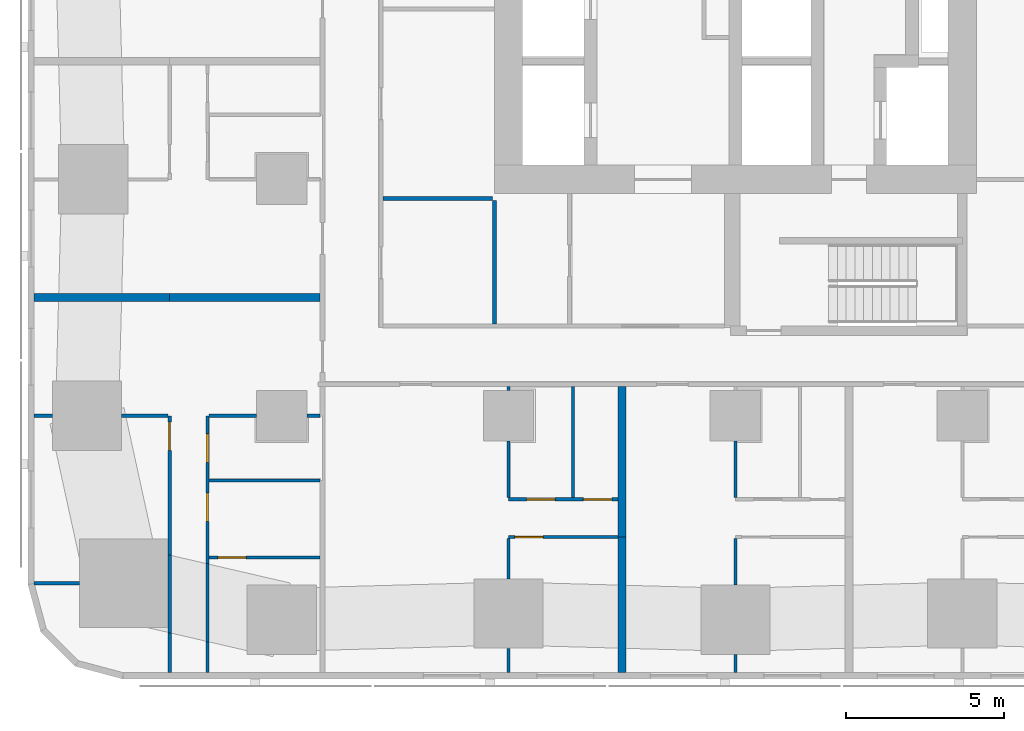
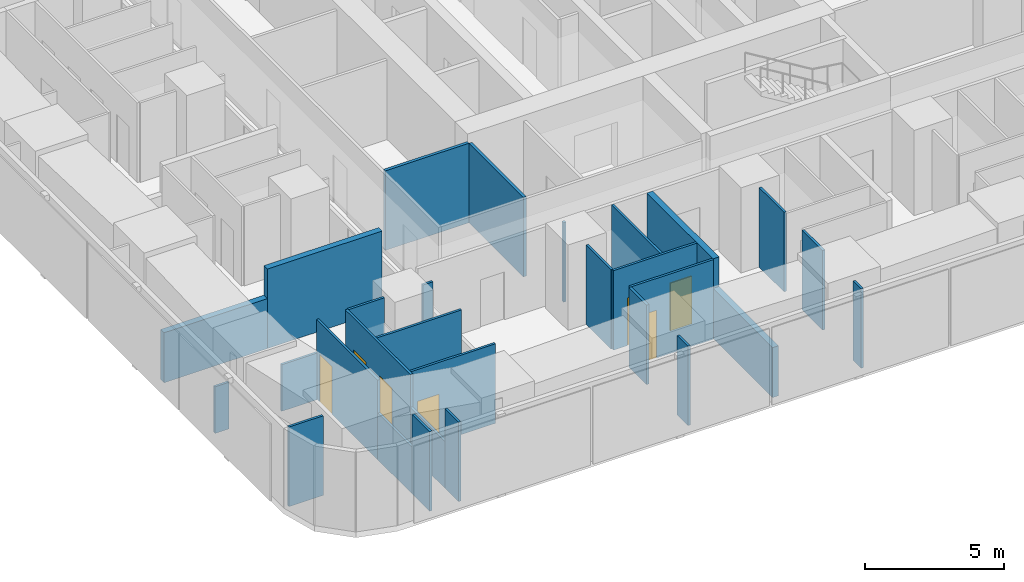
# One storey, part 2 of 16: 29 walls, 7 doors, 7 openings.
"""IFC4 building model written with IfcOpenShell, lengths in metres."""

from ifc_helpers import new_model, si_unit, direction, frame, frame_2d, origin, place, context, subcontext, project, spatial, rectangle, extrude, material, layer, layer_set, type_object, element, fill, save


model = new_model("IFC4")

# Units and contexts
model_context = context("Model", 3, precision=1e-05, world=origin(), true_north=direction((0.0, 1.0)))
body_context = subcontext(model_context, "Body", "Model", "MODEL_VIEW")
ifc_project = project(units=[si_unit("LENGTHUNIT", "METRE"), si_unit("AREAUNIT", "SQUARE_METRE"), si_unit("VOLUMEUNIT", "CUBIC_METRE"), si_unit("PLANEANGLEUNIT", "RADIAN"), si_unit("MASSUNIT", "GRAM", prefix="KILO")], contexts=[model_context])

# Site, building, storey
site_placement = place(None, origin())
site = spatial("IfcSite", under=ifc_project, at=site_placement, CompositionType="ELEMENT")
building_placement = place(site_placement, origin())
building = spatial("IfcBuilding", under=site, at=building_placement, Name="Sheger Commons Tower", CompositionType="ELEMENT")
storey_placement = place(building_placement, frame((0.0, 0.0, 92.89990234375)))
storey = spatial("IfcBuildingStorey", under=building, at=storey_placement, Name="L23", CompositionType="ELEMENT", Elevation=92.89990234375)

# Walls
ifc_material_1 = material(Name="Dense concrete block masonry, plastered both sides (separating wall between flats)", Category="masonry")
ifc_layer_1 = layer(ifc_material_1, 0.25)
ifc_layer_set_1 = layer_set([ifc_layer_1], Name="DEMISING WALL 250")
wall_type_1 = type_object("IfcWallType", Name="DEMISING WALL 250", PredefinedType="SOLIDWALL", material=ifc_layer_set_1)
wall_1_placement = place(storey_placement, frame((-0.64990234375, 11.25, 0.0), z_axis=(0.0, 0.0, 1.0), x_axis=(1.0, 0.0, 0.0)))
element("IfcWall", 1, at=wall_1_placement, inside=storey, type_object=wall_type_1, Name="Demising wall L23", PredefinedType="SOLIDWALL", context=body_context, shape_type="SweptSolid", body=[
    extrude(rectangle(XDim=4.2998046875, YDim=0.25, at=frame_2d((2.14990234375, 0.0))), origin(), (0.0, 0.0, 1.0), 2.2001953125),
])
wall_2_placement = place(storey_placement, frame((3.64990234375, 11.25, 0.0), z_axis=(0.0, 0.0, 1.0), x_axis=(1.0, 0.0, 0.0)))
element("IfcWall", 2, at=wall_2_placement, inside=storey, type_object=wall_type_1, Name="Demising wall L23", PredefinedType="SOLIDWALL", context=body_context, shape_type="SweptSolid", body=[
    extrude(rectangle(XDim=4.775146484375, YDim=0.25, at=frame_2d((2.3876953125, 0.0))), origin(), (0.0, 0.0, 1.0), 3.5),
])
wall_3_placement = place(storey_placement, frame((18.0, -0.64990234375, 0.0), z_axis=(0.0, 0.0, 1.0), x_axis=(0.0, 1.0, 0.0)))
element("IfcWall", 3, at=wall_3_placement, inside=storey, type_object=wall_type_1, Name="Demising wall L23", PredefinedType="SOLIDWALL", context=body_context, shape_type="SweptSolid", body=[
    extrude(rectangle(XDim=4.2998046875, YDim=0.25, at=frame_2d((2.14990234375, 0.0))), origin(), (0.0, 0.0, 1.0), 2.2001953125),
])
wall_4_placement = place(storey_placement, frame((18.0, 3.64990234375, 0.0), z_axis=(0.0, 0.0, 1.0), x_axis=(0.0, 1.0, 0.0)))
element("IfcWall", 4, at=wall_4_placement, inside=storey, type_object=wall_type_1, Name="Demising wall L23", PredefinedType="SOLIDWALL", context=body_context, shape_type="SweptSolid", body=[
    extrude(rectangle(XDim=4.775146484375, YDim=0.25, at=frame_2d((2.3876953125, 0.0))), origin(), (0.0, 0.0, 1.0), 3.5),
])
ifc_material_2 = material(Name="Gypsum board on steel studs", Category="steel")
ifc_layer_2 = layer(ifc_material_2, 0.10009765625)
ifc_layer_set_2 = layer_set([ifc_layer_2], Name="PARTITION 100")
wall_type_2 = type_object("IfcWallType", Name="PARTITION 100", PredefinedType="PARTITIONING", material=ifc_layer_set_2)
wall_5_placement = place(storey_placement, frame((3.64990234375, -0.64990234375, 0.0), z_axis=(0.0, 0.0, 1.0), x_axis=(0.0, 1.0, 0.0)))
element("IfcWall", 5, at=wall_5_placement, inside=storey, type_object=wall_type_2, Name="Partition L23", PredefinedType="PARTITIONING", context=body_context, shape_type="SweptSolid", body=[
    extrude(rectangle(XDim=1.25390625, YDim=0.10009765625, at=frame_2d((0.626953125, 0.0))), origin(), (0.0, 0.0, 1.0), 3.5),
])
wall_6_placement = place(storey_placement, frame((3.64990234375, 0.60400390625, 0.0), z_axis=(0.0, 0.0, 1.0), x_axis=(0.0, 1.0, 0.0)))
element("IfcWall", 6, at=wall_6_placement, inside=storey, type_object=wall_type_2, Name="Partition L23", PredefinedType="PARTITIONING", context=body_context, shape_type="SweptSolid", body=[
    extrude(rectangle(XDim=2.486083984375, YDim=0.10009765625, at=frame_2d((1.2431640625, 0.0))), origin(), (0.0, 0.0, 1.0), 2.050048828125),
])

# Wall, opening, door
wall_7_placement = place(storey_placement, frame((3.64990234375, 3.090087890625, 0.0), z_axis=(0.0, 0.0, 1.0), x_axis=(0.0, 1.0, 0.0)))
wall_7 = element("IfcWall", 7, at=wall_7_placement, inside=storey, type_object=wall_type_2, Name="Partition L23", PredefinedType="PARTITIONING", context=body_context, shape_type="SweptSolid", body=[
    extrude(rectangle(XDim=4.409912109375, YDim=0.10009765625, at=frame_2d((2.205078125, 0.0))), origin(), (0.0, 0.0, 1.0), 3.5),
])
opening_1_placement = place(wall_7_placement, frame((3.31005859375, 0.0, 0.0)))
opening_1 = element("IfcOpeningElement", 8, at=opening_1_placement, cuts=wall_7, Name="Opening D2", PredefinedType="OPENING", context=body_context, shape_type="SweptSolid", body=[
    extrude(rectangle(XDim=0.89990234375, YDim=2.10009765625, at=frame_2d((0.449951171875, 1.050048828125))), frame((0.0, 0.06005859375, 0.0), z_axis=(0.0, -1.0, 0.0), x_axis=(1.0, 0.0, 0.0)), (0.0, 0.0, 1.0), 0.1201171875),
])
ifc_material_3 = material(Name="Timber door set", Category="wood")
door_type = type_object("IfcDoorType", Name="INTERNAL DOOR 900x2100", OperationType="NOTDEFINED", PredefinedType="DOOR", material=ifc_material_3)
door_1_placement = place(opening_1_placement, origin())
door_1 = element("IfcDoor", 9, at=door_1_placement, inside=storey, type_object=door_type, Name="Main bedroom door", OperationType="SINGLE_SWING_RIGHT", OverallHeight=2.10009765625, OverallWidth=0.89990234375, PredefinedType="DOOR", context=body_context, shape_type="SweptSolid", body=[
    extrude(rectangle(XDim=0.89990234375, YDim=2.10009765625, at=frame_2d((0.449951171875, 1.050048828125))), frame((0.0, 0.02490234375, 0.0), z_axis=(0.0, -1.0, 0.0), x_axis=(1.0, 0.0, 0.0)), (0.0, 0.0, 1.0), 0.050048828125),
])
fill(opening_1, door_1)

# Walls
wall_8_placement = place(storey_placement, frame((4.85009765625, -0.64990234375, 0.0), z_axis=(0.0, 0.0, 1.0), x_axis=(0.0, 1.0, 0.0)))
element("IfcWall", 10, at=wall_8_placement, inside=storey, type_object=wall_type_2, Name="Partition L23", PredefinedType="PARTITIONING", context=body_context, shape_type="SweptSolid", body=[
    extrude(rectangle(XDim=0.975830078125, YDim=0.10009765625, at=frame_2d((0.48779296875, 0.0))), origin(), (0.0, 0.0, 1.0), 3.5),
])
wall_9_placement = place(storey_placement, frame((4.85009765625, 0.325927734375, 0.0), z_axis=(0.0, 0.0, 1.0), x_axis=(0.0, 1.0, 0.0)))
element("IfcWall", 11, at=wall_9_placement, inside=storey, type_object=wall_type_2, Name="Partition L23", PredefinedType="PARTITIONING", context=body_context, shape_type="SweptSolid", body=[
    extrude(rectangle(XDim=2.486083984375, YDim=0.10009765625, at=frame_2d((1.2431640625, 0.0))), origin(), (0.0, 0.0, 1.0), 2.050048828125),
])

# Wall, openings, doors
wall_10_placement = place(storey_placement, frame((4.85009765625, 2.81201171875, 0.0), z_axis=(0.0, 0.0, 1.0), x_axis=(0.0, 1.0, 0.0)))
wall_10 = element("IfcWall", 12, at=wall_10_placement, inside=storey, type_object=wall_type_2, Name="Partition L23", PredefinedType="PARTITIONING", context=body_context, shape_type="SweptSolid", body=[
    extrude(rectangle(XDim=4.68798828125, YDim=0.10009765625, at=frame_2d((2.343994140625, 0.0))), origin(), (0.0, 0.0, 1.0), 3.5),
])
opening_2_placement = place(wall_10_placement, frame((3.212890625, 0.0, 0.0)))
opening_2 = element("IfcOpeningElement", 13, at=opening_2_placement, cuts=wall_10, Name="Opening D2", PredefinedType="OPENING", context=body_context, shape_type="SweptSolid", body=[
    extrude(rectangle(XDim=0.89990234375, YDim=2.10009765625, at=frame_2d((0.449951171875, 1.050048828125))), frame((0.0, 0.06005859375, 0.0), z_axis=(0.0, -1.0, 0.0), x_axis=(1.0, 0.0, 0.0)), (0.0, 0.0, 1.0), 0.1201171875),
])
opening_3_placement = place(wall_10_placement, frame((1.337890625, 0.0, 0.0)))
opening_3 = element("IfcOpeningElement", 14, at=opening_3_placement, cuts=wall_10, Name="Opening D2", PredefinedType="OPENING", context=body_context, shape_type="SweptSolid", body=[
    extrude(rectangle(XDim=0.89990234375, YDim=2.10009765625, at=frame_2d((0.449951171875, 1.050048828125))), frame((0.0, 0.06005859375, 0.0), z_axis=(0.0, -1.0, 0.0), x_axis=(1.0, 0.0, 0.0)), (0.0, 0.0, 1.0), 0.1201171875),
])
door_2_placement = place(opening_2_placement, origin())
door_2 = element("IfcDoor", 15, at=door_2_placement, inside=storey, type_object=door_type, Name="Bathroom door", OperationType="SINGLE_SWING_LEFT", OverallHeight=2.10009765625, OverallWidth=0.89990234375, PredefinedType="DOOR", context=body_context, shape_type="SweptSolid", body=[
    extrude(rectangle(XDim=0.89990234375, YDim=2.10009765625, at=frame_2d((0.449951171875, 1.050048828125))), frame((0.0, 0.02490234375, 0.0), z_axis=(0.0, -1.0, 0.0), x_axis=(1.0, 0.0, 0.0)), (0.0, 0.0, 1.0), 0.050048828125),
])
fill(opening_2, door_2)
door_3_placement = place(opening_3_placement, origin())
door_3 = element("IfcDoor", 16, at=door_3_placement, inside=storey, type_object=door_type, Name="Store door", OperationType="SINGLE_SWING_LEFT", OverallHeight=2.10009765625, OverallWidth=0.89990234375, PredefinedType="DOOR", context=body_context, shape_type="SweptSolid", body=[
    extrude(rectangle(XDim=0.89990234375, YDim=2.10009765625, at=frame_2d((0.449951171875, 1.050048828125))), frame((0.0, 0.02490234375, 0.0), z_axis=(0.0, -1.0, 0.0), x_axis=(1.0, 0.0, 0.0)), (0.0, 0.0, 1.0), 0.050048828125),
])
fill(opening_3, door_3)

# Walls
wall_11_placement = place(storey_placement, frame((-0.64990234375, 2.18603515625, 0.0), z_axis=(0.0, 0.0, 1.0), x_axis=(1.0, 0.0, 0.0)))
element("IfcWall", 17, at=wall_11_placement, inside=storey, type_object=wall_type_2, Name="Partition L23", PredefinedType="PARTITIONING", context=body_context, shape_type="SweptSolid", body=[
    extrude(rectangle(XDim=1.434814453125, YDim=0.10009765625, at=frame_2d((0.71728515625, 0.0))), origin(), (0.0, 0.0, 1.0), 3.5),
])
wall_12_placement = place(storey_placement, frame((-0.64990234375, 7.5, 0.0), z_axis=(0.0, 0.0, 1.0), x_axis=(1.0, 0.0, 0.0)))
element("IfcWall", 18, at=wall_12_placement, inside=storey, type_object=wall_type_2, Name="Partition L23", PredefinedType="PARTITIONING", context=body_context, shape_type="SweptSolid", body=[
    extrude(rectangle(XDim=0.573974609375, YDim=0.10009765625, at=frame_2d((0.287109375, 0.0))), origin(), (0.0, 0.0, 1.0), 2.050048828125),
])
wall_13_placement = place(storey_placement, frame((2.1259765625, 7.5, 0.0), z_axis=(0.0, 0.0, 1.0), x_axis=(1.0, 0.0, 0.0)))
element("IfcWall", 19, at=wall_13_placement, inside=storey, type_object=wall_type_2, Name="Partition L23", PredefinedType="PARTITIONING", context=body_context, shape_type="SweptSolid", body=[
    extrude(rectangle(XDim=1.47412109375, YDim=0.10009765625, at=frame_2d((0.737060546875, 0.0))), origin(), (0.0, 0.0, 1.0), 2.050048828125),
])
wall_14_placement = place(storey_placement, frame((4.89990234375, 7.5, 0.0), z_axis=(0.0, 0.0, 1.0), x_axis=(1.0, 0.0, 0.0)))
element("IfcWall", 20, at=wall_14_placement, inside=storey, type_object=wall_type_2, Name="Partition L23", PredefinedType="PARTITIONING", context=body_context, shape_type="SweptSolid", body=[
    extrude(rectangle(XDim=1.4990234375, YDim=0.10009765625, at=frame_2d((0.74951171875, 0.0))), origin(), (0.0, 0.0, 1.0), 3.5),
])
wall_15_placement = place(storey_placement, frame((8.0009765625, 7.5, 0.0), z_axis=(0.0, 0.0, 1.0), x_axis=(1.0, 0.0, 0.0)))
element("IfcWall", 21, at=wall_15_placement, inside=storey, type_object=wall_type_2, Name="Partition L23", PredefinedType="PARTITIONING", context=body_context, shape_type="SweptSolid", body=[
    extrude(rectangle(XDim=0.424072265625, YDim=0.10009765625, at=frame_2d((0.2119140625, 0.0))), origin(), (0.0, 0.0, 1.0), 3.5),
])
wall_16_placement = place(storey_placement, frame((4.89990234375, 5.449951171875, 0.0), z_axis=(0.0, 0.0, 1.0), x_axis=(1.0, 0.0, 0.0)))
element("IfcWall", 22, at=wall_16_placement, inside=storey, type_object=wall_type_2, Name="Partition L23", PredefinedType="PARTITIONING", context=body_context, shape_type="SweptSolid", body=[
    extrude(rectangle(XDim=3.525146484375, YDim=0.10009765625, at=frame_2d((1.7626953125, 0.0))), origin(), (0.0, 0.0, 1.0), 3.5),
])

# Wall, opening, door
wall_17_placement = place(storey_placement, frame((17.875, 3.64990234375, 0.0), z_axis=(0.0, 0.0, 1.0), x_axis=(-1.0, 0.0, 0.0)))
wall_17 = element("IfcWall", 23, at=wall_17_placement, inside=storey, type_object=wall_type_2, Name="Partition L23", PredefinedType="PARTITIONING", context=body_context, shape_type="SweptSolid", body=[
    extrude(rectangle(XDim=3.47509765625, YDim=0.10009765625, at=frame_2d((1.737548828125, 0.0))), origin(), (0.0, 0.0, 1.0), 3.5),
])
opening_4_placement = place(wall_17_placement, frame((2.375, 0.0, 0.0)))
opening_4 = element("IfcOpeningElement", 24, at=opening_4_placement, cuts=wall_17, Name="Opening D2", PredefinedType="OPENING", context=body_context, shape_type="SweptSolid", body=[
    extrude(rectangle(XDim=0.89990234375, YDim=2.10009765625, at=frame_2d((0.449951171875, 1.050048828125))), frame((0.0, 0.06005859375, 0.0), z_axis=(0.0, -1.0, 0.0), x_axis=(1.0, 0.0, 0.0)), (0.0, 0.0, 1.0), 0.1201171875),
])
door_4_placement = place(opening_4_placement, origin())
door_4 = element("IfcDoor", 25, at=door_4_placement, inside=storey, type_object=door_type, Name="Main bedroom door", OperationType="SINGLE_SWING_RIGHT", OverallHeight=2.10009765625, OverallWidth=0.89990234375, PredefinedType="DOOR", context=body_context, shape_type="SweptSolid", body=[
    extrude(rectangle(XDim=0.89990234375, YDim=2.10009765625, at=frame_2d((0.449951171875, 1.050048828125))), frame((0.0, 0.02490234375, 0.0), z_axis=(0.0, -1.0, 0.0), x_axis=(1.0, 0.0, 0.0)), (0.0, 0.0, 1.0), 0.050048828125),
])
fill(opening_4, door_4)

# Wall, openings, doors
wall_18_placement = place(storey_placement, frame((17.875, 4.85009765625, 0.0), z_axis=(0.0, 0.0, 1.0), x_axis=(-1.0, 0.0, 0.0)))
wall_18 = element("IfcWall", 26, at=wall_18_placement, inside=storey, type_object=wall_type_2, Name="Partition L23", PredefinedType="PARTITIONING", context=body_context, shape_type="SweptSolid", body=[
    extrude(rectangle(XDim=3.47509765625, YDim=0.10009765625, at=frame_2d((1.737548828125, 0.0))), origin(), (0.0, 0.0, 1.0), 3.5),
])
opening_5_placement = place(wall_18_placement, frame((2.0, 0.0, 0.0)))
opening_5 = element("IfcOpeningElement", 27, at=opening_5_placement, cuts=wall_18, Name="Opening D2", PredefinedType="OPENING", context=body_context, shape_type="SweptSolid", body=[
    extrude(rectangle(XDim=0.89990234375, YDim=2.10009765625, at=frame_2d((0.449951171875, 1.050048828125))), frame((0.0, 0.06005859375, 0.0), z_axis=(0.0, -1.0, 0.0), x_axis=(1.0, 0.0, 0.0)), (0.0, 0.0, 1.0), 0.1201171875),
])
opening_6_placement = place(wall_18_placement, frame((0.199951171875, 0.0, 0.0)))
opening_6 = element("IfcOpeningElement", 28, at=opening_6_placement, cuts=wall_18, Name="Opening D2", PredefinedType="OPENING", context=body_context, shape_type="SweptSolid", body=[
    extrude(rectangle(XDim=0.89990234375, YDim=2.10009765625, at=frame_2d((0.449951171875, 1.050048828125))), frame((0.0, 0.06005859375, 0.0), z_axis=(0.0, -1.0, 0.0), x_axis=(1.0, 0.0, 0.0)), (0.0, 0.0, 1.0), 0.1201171875),
])
door_5_placement = place(opening_5_placement, origin())
door_5 = element("IfcDoor", 29, at=door_5_placement, inside=storey, type_object=door_type, Name="Bathroom door", OperationType="SINGLE_SWING_LEFT", OverallHeight=2.10009765625, OverallWidth=0.89990234375, PredefinedType="DOOR", context=body_context, shape_type="SweptSolid", body=[
    extrude(rectangle(XDim=0.89990234375, YDim=2.10009765625, at=frame_2d((0.449951171875, 1.050048828125))), frame((0.0, 0.02490234375, 0.0), z_axis=(0.0, -1.0, 0.0), x_axis=(1.0, 0.0, 0.0)), (0.0, 0.0, 1.0), 0.050048828125),
])
fill(opening_5, door_5)
door_6_placement = place(opening_6_placement, origin())
door_6 = element("IfcDoor", 30, at=door_6_placement, inside=storey, type_object=door_type, Name="Store door", OperationType="SINGLE_SWING_RIGHT", OverallHeight=2.10009765625, OverallWidth=0.89990234375, PredefinedType="DOOR", context=body_context, shape_type="SweptSolid", body=[
    extrude(rectangle(XDim=0.89990234375, YDim=2.10009765625, at=frame_2d((0.449951171875, 1.050048828125))), frame((0.0, 0.02490234375, 0.0), z_axis=(0.0, -1.0, 0.0), x_axis=(1.0, 0.0, 0.0)), (0.0, 0.0, 1.0), 0.050048828125),
])
fill(opening_6, door_6)

# Walls
wall_19_placement = place(storey_placement, frame((14.39990234375, -0.64990234375, 0.0), z_axis=(0.0, 0.0, 1.0), x_axis=(0.0, 1.0, 0.0)))
element("IfcWall", 31, at=wall_19_placement, inside=storey, type_object=wall_type_2, Name="Partition L23", PredefinedType="PARTITIONING", context=body_context, shape_type="SweptSolid", body=[
    extrude(rectangle(XDim=0.77392578125, YDim=0.10009765625, at=frame_2d((0.386962890625, 0.0))), origin(), (0.0, 0.0, 1.0), 3.5),
])
wall_20_placement = place(storey_placement, frame((14.39990234375, 2.325927734375, 0.0), z_axis=(0.0, 0.0, 1.0), x_axis=(0.0, 1.0, 0.0)))
element("IfcWall", 32, at=wall_20_placement, inside=storey, type_object=wall_type_2, Name="Partition L23", PredefinedType="PARTITIONING", context=body_context, shape_type="SweptSolid", body=[
    extrude(rectangle(XDim=1.274169921875, YDim=0.10009765625, at=frame_2d((0.63720703125, 0.0))), origin(), (0.0, 0.0, 1.0), 3.5),
])
wall_21_placement = place(storey_placement, frame((14.39990234375, 4.89990234375, 0.0), z_axis=(0.0, 0.0, 1.0), x_axis=(0.0, 1.0, 0.0)))
element("IfcWall", 33, at=wall_21_placement, inside=storey, type_object=wall_type_2, Name="Partition L23", PredefinedType="PARTITIONING", context=body_context, shape_type="SweptSolid", body=[
    extrude(rectangle(XDim=1.799072265625, YDim=0.10009765625, at=frame_2d((0.8994140625, 0.0))), origin(), (0.0, 0.0, 1.0), 3.5),
])
wall_22_placement = place(storey_placement, frame((14.39990234375, 8.301025390625, 0.0), z_axis=(0.0, 0.0, 1.0), x_axis=(0.0, 1.0, 0.0)))
element("IfcWall", 34, at=wall_22_placement, inside=storey, type_object=wall_type_2, Name="Partition L23", PredefinedType="PARTITIONING", context=body_context, shape_type="SweptSolid", body=[
    extrude(rectangle(XDim=0.1240234375, YDim=0.10009765625, at=frame_2d((0.06201171875, 0.0))), origin(), (0.0, 0.0, 1.0), 3.5),
])
wall_23_placement = place(storey_placement, frame((16.449951171875, 4.89990234375, 0.0), z_axis=(0.0, 0.0, 1.0), x_axis=(0.0, 1.0, 0.0)))
element("IfcWall", 35, at=wall_23_placement, inside=storey, type_object=wall_type_2, Name="Partition L23", PredefinedType="PARTITIONING", context=body_context, shape_type="SweptSolid", body=[
    extrude(rectangle(XDim=3.525146484375, YDim=0.10009765625, at=frame_2d((1.7626953125, 0.0))), origin(), (0.0, 0.0, 1.0), 3.5),
])
wall_24_placement = place(storey_placement, frame((21.60009765625, -0.64990234375, 0.0), z_axis=(0.0, 0.0, 1.0), x_axis=(0.0, 1.0, 0.0)))
element("IfcWall", 36, at=wall_24_placement, inside=storey, type_object=wall_type_2, Name="Partition L23", PredefinedType="PARTITIONING", context=body_context, shape_type="SweptSolid", body=[
    extrude(rectangle(XDim=0.573974609375, YDim=0.10009765625, at=frame_2d((0.287109375, 0.0))), origin(), (0.0, 0.0, 1.0), 3.5),
])
wall_25_placement = place(storey_placement, frame((21.60009765625, 2.1259765625, 0.0), z_axis=(0.0, 0.0, 1.0), x_axis=(0.0, 1.0, 0.0)))
element("IfcWall", 37, at=wall_25_placement, inside=storey, type_object=wall_type_2, Name="Partition L23", PredefinedType="PARTITIONING", context=body_context, shape_type="SweptSolid", body=[
    extrude(rectangle(XDim=1.47412109375, YDim=0.10009765625, at=frame_2d((0.737060546875, 0.0))), origin(), (0.0, 0.0, 1.0), 3.5),
])
wall_26_placement = place(storey_placement, frame((21.60009765625, 4.89990234375, 0.0), z_axis=(0.0, 0.0, 1.0), x_axis=(0.0, 1.0, 0.0)))
element("IfcWall", 38, at=wall_26_placement, inside=storey, type_object=wall_type_2, Name="Partition L23", PredefinedType="PARTITIONING", context=body_context, shape_type="SweptSolid", body=[
    extrude(rectangle(XDim=1.799072265625, YDim=0.10009765625, at=frame_2d((0.8994140625, 0.0))), origin(), (0.0, 0.0, 1.0), 3.5),
])

# Wall, opening, door
wall_27_placement = place(storey_placement, frame((8.425048828125, 3.0, 0.0), z_axis=(0.0, 0.0, 1.0), x_axis=(-1.0, 0.0, 0.0)))
wall_27 = element("IfcWall", 39, at=wall_27_placement, inside=storey, type_object=wall_type_2, Name="Partition L23", PredefinedType="PARTITIONING", context=body_context, shape_type="SweptSolid", body=[
    extrude(rectangle(XDim=3.525146484375, YDim=0.10009765625, at=frame_2d((1.7626953125, 0.0))), origin(), (0.0, 0.0, 1.0), 3.5),
])
opening_7_placement = place(wall_27_placement, frame((2.35009765625, 0.0, 0.0)))
opening_7 = element("IfcOpeningElement", 40, at=opening_7_placement, cuts=wall_27, Name="Opening D2", PredefinedType="OPENING", context=body_context, shape_type="SweptSolid", body=[
    extrude(rectangle(XDim=0.89990234375, YDim=2.10009765625, at=frame_2d((0.449951171875, 1.050048828125))), frame((0.0, 0.06005859375, 0.0), z_axis=(0.0, -1.0, 0.0), x_axis=(1.0, 0.0, 0.0)), (0.0, 0.0, 1.0), 0.1201171875),
])
door_7_placement = place(opening_7_placement, origin())
door_7 = element("IfcDoor", 41, at=door_7_placement, inside=storey, type_object=door_type, Name="Store door", OperationType="SINGLE_SWING_RIGHT", OverallHeight=2.10009765625, OverallWidth=0.89990234375, PredefinedType="DOOR", context=body_context, shape_type="SweptSolid", body=[
    extrude(rectangle(XDim=0.89990234375, YDim=2.10009765625, at=frame_2d((0.449951171875, 1.050048828125))), frame((0.0, 0.02490234375, 0.0), z_axis=(0.0, -1.0, 0.0), x_axis=(1.0, 0.0, 0.0)), (0.0, 0.0, 1.0), 0.050048828125),
])
fill(opening_7, door_7)

# Walls
ifc_material_4 = material(Name="Gypsum board on steel studs, two layers each side, fire rated", Category="steel")
ifc_layer_3 = layer(ifc_material_4, 0.125)
ifc_layer_set_3 = layer_set([ifc_layer_3], Name="SERVICE WALL 125")
wall_type_3 = type_object("IfcWallType", Name="SERVICE WALL 125", PredefinedType="PARTITIONING", material=ifc_layer_set_3)
wall_28_placement = place(storey_placement, frame((10.4130859375, 14.39990234375, 0.0), z_axis=(0.0, 0.0, 1.0), x_axis=(1.0, 0.0, 0.0)))
element("IfcWall", 42, at=wall_28_placement, inside=storey, type_object=wall_type_3, Name="Service room wall L23", PredefinedType="PARTITIONING", context=body_context, shape_type="SweptSolid", body=[
    extrude(rectangle(XDim=3.474853515625, YDim=0.125, at=frame_2d((1.7373046875, 0.0))), origin(), (0.0, 0.0, 1.0), 3.5),
])
wall_29_placement = place(storey_placement, frame((13.949951171875, 10.4130859375, 0.0), z_axis=(0.0, 0.0, 1.0), x_axis=(0.0, 1.0, 0.0)))
element("IfcWall", 43, at=wall_29_placement, inside=storey, type_object=wall_type_3, Name="Service room wall L23", PredefinedType="PARTITIONING", context=body_context, shape_type="SweptSolid", body=[
    extrude(rectangle(XDim=3.9248046875, YDim=0.125, at=frame_2d((1.96240234375, 0.0))), origin(), (0.0, 0.0, 1.0), 3.5),
])

save(model, "model.ifc")
